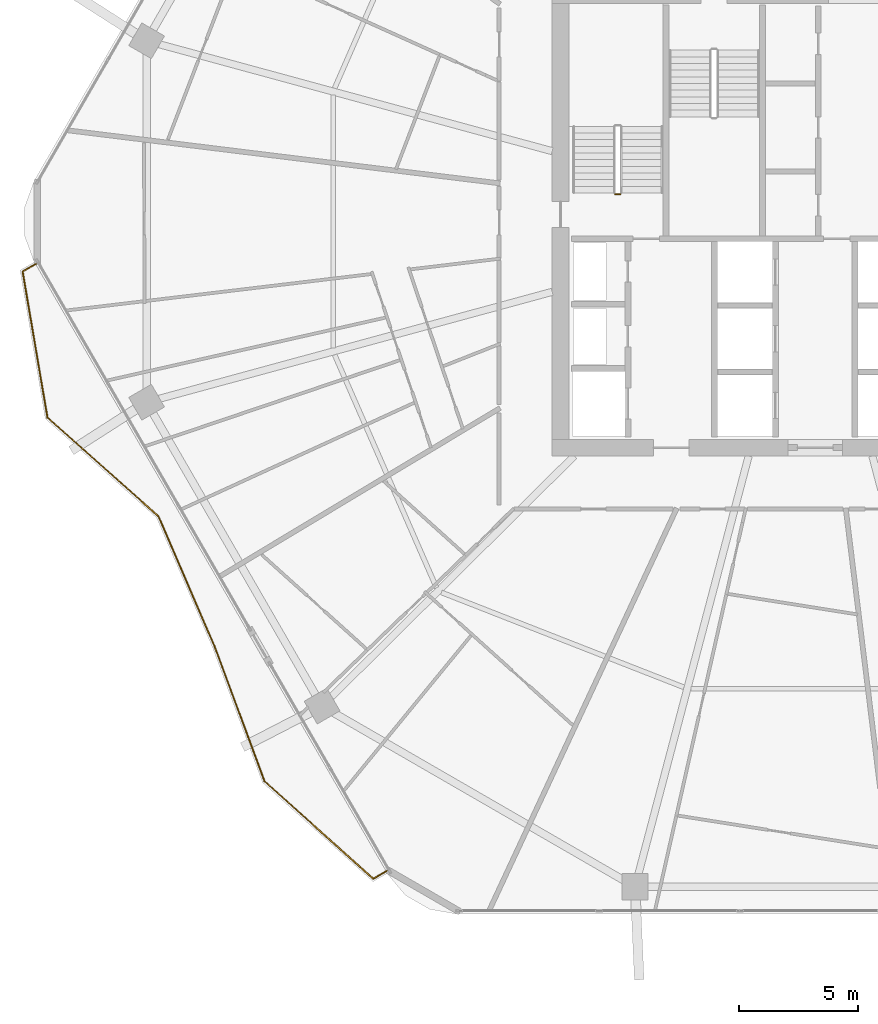
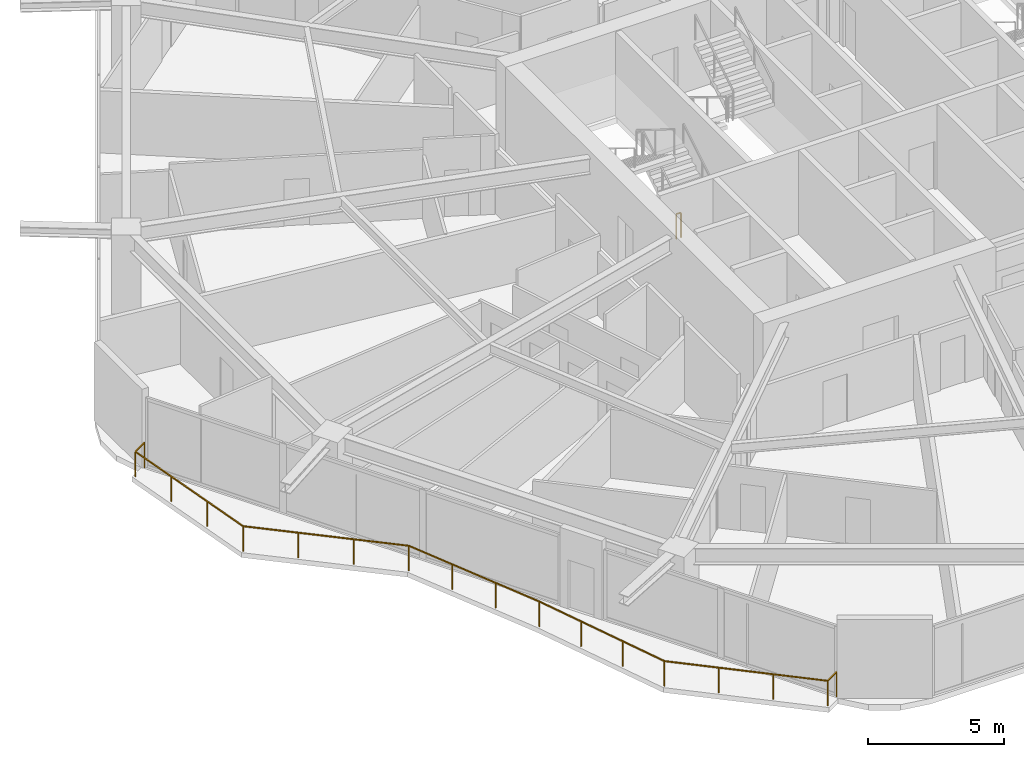
# One storey, part 30 of 32: 2 railings.
"""IFC4 building model written with IfcOpenShell, lengths in metres."""

from ifc_helpers import new_model, si_unit, direction, frame, origin, origin_2d, place, context, subcontext, project, spatial, rectangle, extrude, material, type_object, element, save


model = new_model("IFC4")

# Units and contexts
model_context = context("Model", 3, precision=1e-05, world=origin(), true_north=direction((0.0, 1.0)))
body_context = subcontext(model_context, "Body", "Model", "MODEL_VIEW")
ifc_project = project(units=[si_unit("LENGTHUNIT", "METRE"), si_unit("AREAUNIT", "SQUARE_METRE"), si_unit("VOLUMEUNIT", "CUBIC_METRE"), si_unit("PLANEANGLEUNIT", "RADIAN"), si_unit("MASSUNIT", "GRAM", prefix="KILO")], contexts=[model_context])

# Site, building, storey
site_placement = place(None, origin())
site = spatial("IfcSite", under=ifc_project, at=site_placement, CompositionType="ELEMENT")
building_placement = place(site_placement, origin())
building = spatial("IfcBuilding", under=site, at=building_placement, Name="Zuhravey Tower", CompositionType="ELEMENT")
storey_placement = place(building_placement, frame((0.0, 0.0, 111.39990234375)))
storey = spatial("IfcBuildingStorey", under=building, at=storey_placement, Name="L27", CompositionType="ELEMENT", Elevation=111.39990234375)

# Railings
ifc_material_1 = material(Name="Stainless steel 316 and laminated glass", Category="steel")
railing_type_1 = type_object("IfcRailingType", Name="Balcony & Terrace Guardrail 1150", PredefinedType="BALUSTRADE", material=ifc_material_1)
railing_1_placement = place(storey_placement, frame((18.2119140625, 4.72314453125, 0.0)))
element("IfcRailing", 1, at=railing_1_placement, inside=storey, type_object=railing_type_1, Name="L27 Face 4 Wave Balcony Guardrail GR1", PredefinedType="BALUSTRADE", context=body_context, shape_type="SweptSolid", body=[
    extrude(rectangle(XDim=0.048095703125, YDim=0.048095703125, at=origin_2d()), frame((-0.001708984375, -0.0009765625, 1.1259765625), z_axis=(-0.866051602307, -0.499954620082, 0.0), x_axis=(0.499954620082, -0.866051602307, 0.0)), (0.0, 0.0, 1.0), 0.66357421875),
    extrude(rectangle(XDim=0.048095703125, YDim=0.048095703125, at=origin_2d()), frame((-0.57958984375, -0.33251953125, 1.1259765625), z_axis=(-0.744380050138, 0.667756198741, 0.0), x_axis=(-0.667756198741, -0.744380050138, 0.0)), (0.0, 0.0, 1.0), 6.138916015625),
    extrude(rectangle(XDim=0.048095703125, YDim=0.048095703125, at=origin_2d()), frame((-5.151611328125, 3.770263671875, 1.1259765625), z_axis=(-0.346822264551, 0.937930869954, 0.0), x_axis=(-0.937930869954, -0.346822264551, 0.0)), (0.0, 0.0, 1.0), 5.991455078125),
    extrude(rectangle(XDim=0.048095703125, YDim=0.048095703125, at=origin_2d()), frame((-7.23095703125, 9.3935546875, 1.1259765625), z_axis=(-0.396148994733, 0.918186241441, 0.0), x_axis=(-0.918186241441, -0.396148994733, 0.0)), (0.0, 0.0, 1.0), 5.992431640625),
    extrude(rectangle(XDim=0.048095703125, YDim=0.048095703125, at=origin_2d()), frame((-9.607177734375, 14.898681640625, 1.1259765625), z_axis=(-0.747255946828, 0.664536342069, 0.0), x_axis=(-0.664536342069, -0.747255946828, 0.0)), (0.0, 0.0, 1.0), 6.232421875),
    extrude(rectangle(XDim=0.048095703125, YDim=0.048095703125, at=origin_2d()), frame((-14.26611328125, 19.043701171875, 1.1259765625), z_axis=(-0.167681689473, 0.985841189551, 0.0), x_axis=(-0.985841189551, -0.167681689473, 0.0)), (0.0, 0.0, 1.0), 6.21728515625),
    extrude(rectangle(XDim=0.048095703125, YDim=0.048095703125, at=origin_2d()), frame((-15.307373046875, 25.176025390625, 1.1259765625), z_axis=(0.866015774862, 0.500016677412, 0.0), x_axis=(-0.500016677412, 0.866015774862, 0.0)), (0.0, 0.0, 1.0), 0.66650390625),
    extrude(rectangle(XDim=0.0419921875, YDim=0.0419921875, at=origin_2d()), origin(), (0.0, 0.0, 1.0), 1.099853515625),
    extrude(rectangle(XDim=0.0419921875, YDim=0.0419921875, at=origin_2d()), frame((-0.578125, -0.333740234375, 0.0)), (0.0, 0.0, 1.0), 1.099853515625),
    extrude(rectangle(XDim=0.0419921875, YDim=0.0419921875, at=origin_2d()), frame((-2.102294921875, 1.03369140625, 0.0)), (0.0, 0.0, 1.0), 1.099853515625),
    extrude(rectangle(XDim=0.0419921875, YDim=0.0419921875, at=origin_2d()), frame((-3.626708984375, 2.40087890625, 0.0)), (0.0, 0.0, 1.0), 1.099853515625),
    extrude(rectangle(XDim=0.0419921875, YDim=0.0419921875, at=origin_2d()), frame((-5.15087890625, 3.768310546875, 0.0)), (0.0, 0.0, 1.0), 1.099853515625),
    extrude(rectangle(XDim=0.0419921875, YDim=0.0419921875, at=origin_2d()), frame((-5.843994140625, 5.642822265625, 0.0)), (0.0, 0.0, 1.0), 1.099853515625),
    extrude(rectangle(XDim=0.0419921875, YDim=0.0419921875, at=origin_2d()), frame((-6.537109375, 7.51708984375, 0.0)), (0.0, 0.0, 1.0), 1.099853515625),
    extrude(rectangle(XDim=0.0419921875, YDim=0.0419921875, at=origin_2d()), frame((-7.230224609375, 9.3916015625, 0.0)), (0.0, 0.0, 1.0), 1.099853515625),
    extrude(rectangle(XDim=0.0419921875, YDim=0.0419921875, at=origin_2d()), frame((-8.02197265625, 11.226806640625, 0.0)), (0.0, 0.0, 1.0), 1.099853515625),
    extrude(rectangle(XDim=0.0419921875, YDim=0.0419921875, at=origin_2d()), frame((-8.81396484375, 13.062255859375, 0.0)), (0.0, 0.0, 1.0), 1.099853515625),
    extrude(rectangle(XDim=0.0419921875, YDim=0.0419921875, at=origin_2d()), frame((-9.605712890625, 14.8974609375, 0.0)), (0.0, 0.0, 1.0), 1.099853515625),
    extrude(rectangle(XDim=0.0419921875, YDim=0.0419921875, at=origin_2d()), frame((-11.1591796875, 16.27880859375, 0.0)), (0.0, 0.0, 1.0), 1.099853515625),
    extrude(rectangle(XDim=0.0419921875, YDim=0.0419921875, at=origin_2d()), frame((-12.71240234375, 17.660400390625, 0.0)), (0.0, 0.0, 1.0), 1.099853515625),
    extrude(rectangle(XDim=0.0419921875, YDim=0.0419921875, at=origin_2d()), frame((-14.265869140625, 19.041748046875, 0.0)), (0.0, 0.0, 1.0), 1.099853515625),
    extrude(rectangle(XDim=0.0419921875, YDim=0.0419921875, at=origin_2d()), frame((-14.613525390625, 21.086181640625, 0.0)), (0.0, 0.0, 1.0), 1.099853515625),
    extrude(rectangle(XDim=0.0419921875, YDim=0.0419921875, at=origin_2d()), frame((-14.96142578125, 23.130615234375, 0.0)), (0.0, 0.0, 1.0), 1.099853515625),
    extrude(rectangle(XDim=0.0419921875, YDim=0.0419921875, at=origin_2d()), frame((-15.30908203125, 25.175048828125, 0.0)), (0.0, 0.0, 1.0), 1.099853515625),
    extrude(rectangle(XDim=0.0419921875, YDim=0.0419921875, at=origin_2d()), frame((-14.728515625, 25.51025390625, 0.0)), (0.0, 0.0, 1.0), 1.099853515625),
])
ifc_material_2 = material(Name="Painted tubular steel", Category="steel")
railing_type_2 = type_object("IfcRailingType", Name="Stair Well Guardrail 1150", PredefinedType="GUARDRAIL", material=ifc_material_2)
railing_2_placement = place(storey_placement, frame((28.0, 33.14990234375, 0.0)))
element("IfcRailing", 2, at=railing_2_placement, inside=storey, type_object=railing_type_2, Name="L27 ST1 stair guard 4", PredefinedType="GUARDRAIL", context=body_context, shape_type="SweptSolid", body=[
    extrude(rectangle(XDim=0.048095703125, YDim=0.048095703125, at=origin_2d()), frame((-0.001953125, 0.0, 1.1259765625), z_axis=(-1.0, 0.0, 0.0), x_axis=(0.0, -1.0, 0.0)), (0.0, 0.0, 1.0), 0.196044921875),
    extrude(rectangle(XDim=0.0419921875, YDim=0.0419921875, at=origin_2d()), origin(), (0.0, 0.0, 1.0), 1.099853515625),
    extrude(rectangle(XDim=0.0419921875, YDim=0.0419921875, at=origin_2d()), frame((-0.199951171875, 0.0, 0.0)), (0.0, 0.0, 1.0), 1.099853515625),
])

save(model, "model.ifc")
